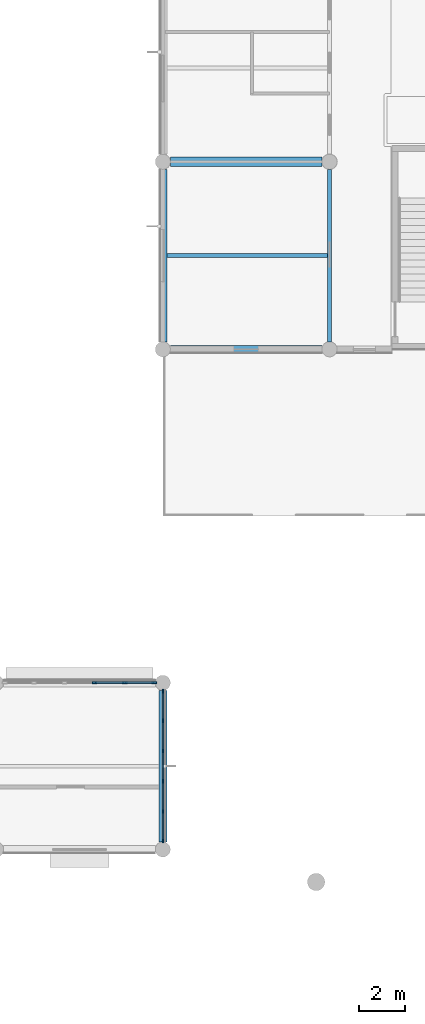
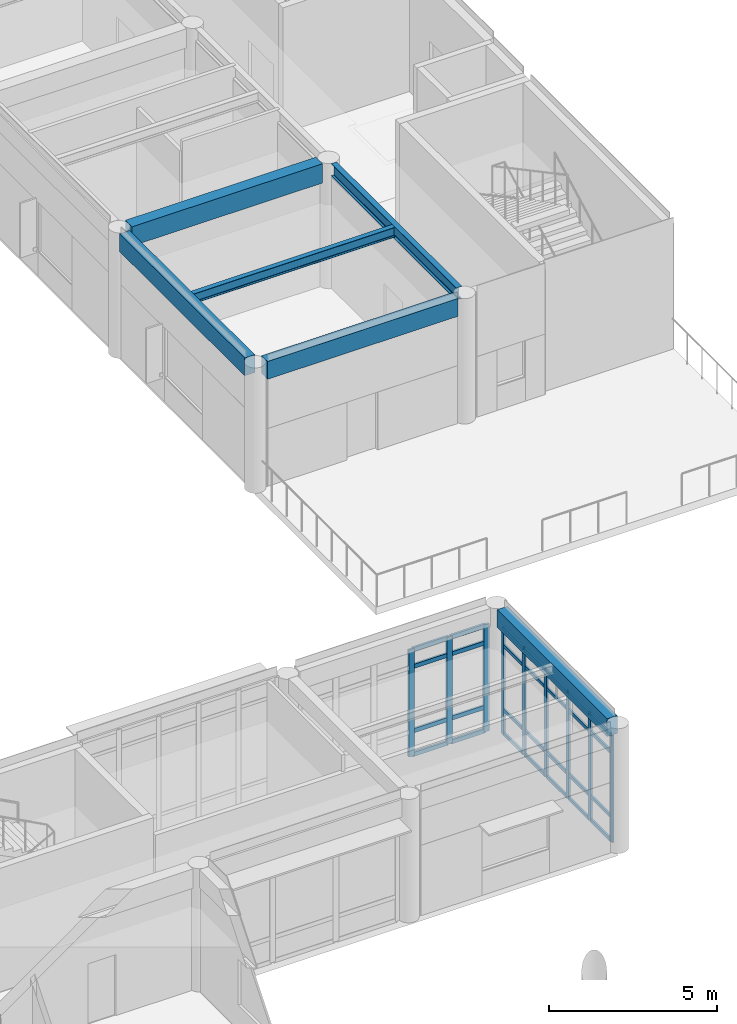
# One storey, part 29 of 92: 37 members, 6 beams, 2 elements without a shape of their own.
"""IFC4 building model written with IfcOpenShell, lengths in metres."""

from ifc_helpers import new_model, si_unit, direction, frame, origin, origin_2d, place, context, subcontext, project, spatial, rectangle, i_section, extrude, material, layer, layer_set, material_profile, profile_set, type_object, element, aggregate, save


model = new_model("IFC4")

# Units and contexts
model_context = context("Model", 3, precision=1e-05, world=origin(), true_north=direction((0.0, 1.0)))
body_context = subcontext(model_context, "Body", "Model", "MODEL_VIEW")
ifc_project = project(units=[si_unit("LENGTHUNIT", "METRE"), si_unit("AREAUNIT", "SQUARE_METRE"), si_unit("VOLUMEUNIT", "CUBIC_METRE"), si_unit("PLANEANGLEUNIT", "RADIAN"), si_unit("MASSUNIT", "GRAM", prefix="KILO")], contexts=[model_context])

# Site, building, storey
site_placement = place(None, origin())
site = spatial("IfcSite", under=ifc_project, at=site_placement, CompositionType="ELEMENT")
building_placement = place(site_placement, origin())
building = spatial("IfcBuilding", under=site, at=building_placement, Name="Namkhue Oval Health Centre", CompositionType="ELEMENT")
storey_placement = place(building_placement, frame((0.0, 0.0, 4.800048828125)))
storey = spatial("IfcBuildingStorey", under=building, at=storey_placement, Name="L01", CompositionType="ELEMENT", Elevation=4.800048828125)

# Curtain wall, members
ifc_material_1 = material(Name="Anodised aluminium EN AW-6063 T6", Category="aluminium")
ifc_layer_1 = layer(ifc_material_1, 0.159912109375)
ifc_layer_set_1 = layer_set([ifc_layer_1], Name="Anodised aluminium EN AW-6063 T6")
curtain_wall_type_1 = type_object("IfcCurtainWallType", Name="UNITISED CURTAIN WALL M1200", PredefinedType="NOTDEFINED", material=ifc_layer_set_1)
curtain_wall_1_placement = place(storey_placement, origin())
curtain_wall_1 = element("IfcCurtainWall", 1, at=curtain_wall_1_placement, inside=storey, type_object=curtain_wall_type_1, Name="Volume V5 L01 Unitised Curtain Wall 193", PredefinedType="NOTDEFINED")
ifc_material_profile_1 = material_profile(ifc_material_1, rectangle(XDim=0.06494140625, YDim=0.159912109375, at=origin_2d()), Name="ALU 65x160")
ifc_profile_set_1 = profile_set([ifc_material_profile_1], Name="Anodised aluminium EN AW-6063 T6")
member_type_1 = type_object("IfcMemberType", Name="CURTAIN WALL MULLION 65X160", PredefinedType="MULLION", material=ifc_profile_set_1)
member_1_placement = place(storey_placement, frame((136.800048828125, 21.967529296875, 0.0), z_axis=(0.0, 0.0, 1.0), x_axis=(-1.0, 0.0, 0.0)))
member_1 = element("IfcMember", 2, at=member_1_placement, type_object=member_type_1, Name="CW-01 mullion 1", PredefinedType="MULLION", context=body_context, shape_type="SweptSolid", body=[
    extrude(rectangle(XDim=0.06494140625, YDim=0.159912109375, at=origin_2d()), origin(), (0.0, 0.0, 1.0), 3.887939453125),
])
member_2_placement = place(storey_placement, frame((136.800048828125, 23.240966796875, 0.0), z_axis=(0.0, 0.0, 1.0), x_axis=(-1.0, 0.0, 0.0)))
member_2 = element("IfcMember", 3, at=member_2_placement, type_object=member_type_1, Name="CW-01 mullion 2", PredefinedType="MULLION", context=body_context, shape_type="SweptSolid", body=[
    extrude(rectangle(XDim=0.06494140625, YDim=0.159912109375, at=origin_2d()), origin(), (0.0, 0.0, 1.0), 3.887939453125),
])
member_3_placement = place(storey_placement, frame((136.800048828125, 24.547119140625, 0.0), z_axis=(0.0, 0.0, 1.0), x_axis=(-1.0, 0.0, 0.0)))
member_3 = element("IfcMember", 4, at=member_3_placement, type_object=member_type_1, Name="CW-01 mullion 3", PredefinedType="MULLION", context=body_context, shape_type="SweptSolid", body=[
    extrude(rectangle(XDim=0.06494140625, YDim=0.159912109375, at=origin_2d()), origin(), (0.0, 0.0, 1.0), 3.887939453125),
])
member_4_placement = place(storey_placement, frame((136.800048828125, 25.85302734375, 0.0), z_axis=(0.0, 0.0, 1.0), x_axis=(-1.0, 0.0, 0.0)))
member_4 = element("IfcMember", 5, at=member_4_placement, type_object=member_type_1, Name="CW-01 mullion 4", PredefinedType="MULLION", context=body_context, shape_type="SweptSolid", body=[
    extrude(rectangle(XDim=0.06494140625, YDim=0.159912109375, at=origin_2d()), origin(), (0.0, 0.0, 1.0), 3.887939453125),
])
member_5_placement = place(storey_placement, frame((136.800048828125, 27.158935546875, 0.0), z_axis=(0.0, 0.0, 1.0), x_axis=(-1.0, 0.0, 0.0)))
member_5 = element("IfcMember", 6, at=member_5_placement, type_object=member_type_1, Name="CW-01 mullion 5", PredefinedType="MULLION", context=body_context, shape_type="SweptSolid", body=[
    extrude(rectangle(XDim=0.06494140625, YDim=0.159912109375, at=origin_2d()), origin(), (0.0, 0.0, 1.0), 3.887939453125),
])
member_6_placement = place(storey_placement, frame((136.800048828125, 28.4326171875, 0.0), z_axis=(0.0, 0.0, 1.0), x_axis=(-1.0, 0.0, 0.0)))
member_6 = element("IfcMember", 7, at=member_6_placement, type_object=member_type_1, Name="CW-01 mullion 6", PredefinedType="MULLION", context=body_context, shape_type="SweptSolid", body=[
    extrude(rectangle(XDim=0.06494140625, YDim=0.159912109375, at=origin_2d()), origin(), (0.0, 0.0, 1.0), 3.887939453125),
])

ifc_layer_2 = layer(ifc_material_1, 0.159912109375)
ifc_layer_set_2 = layer_set([ifc_layer_2], Name="Anodised aluminium EN AW-6063 T6")
curtain_wall_type_2 = type_object("IfcCurtainWallType", Name="UNITISED CURTAIN WALL M1350", PredefinedType="NOTDEFINED", material=ifc_layer_set_2)
curtain_wall_2_placement = place(storey_placement, origin())
curtain_wall_2 = element("IfcCurtainWall", 8, at=curtain_wall_2_placement, inside=storey, type_object=curtain_wall_type_2, Name="Volume V5 L01 Unitised Curtain Wall 194", PredefinedType="NOTDEFINED")
ifc_material_profile_2 = material_profile(ifc_material_1, rectangle(XDim=0.074951171875, YDim=0.199951171875, at=origin_2d()), Name="ALU 75x200")
ifc_profile_set_2 = profile_set([ifc_material_profile_2], Name="Anodised aluminium EN AW-6063 T6")
member_type_2 = type_object("IfcMemberType", Name="CURTAIN WALL MULLION 75X200", PredefinedType="MULLION", material=ifc_profile_set_2)
member_7_placement = place(storey_placement, frame((136.427490234375, 28.800048828125, 0.0), z_axis=(0.0, 0.0, 1.0), x_axis=(0.0, -1.0, 0.0)))
member_7 = element("IfcMember", 9, at=member_7_placement, type_object=member_type_2, Name="CW-02 mullion 1", PredefinedType="MULLION", context=body_context, shape_type="SweptSolid", body=[
    extrude(rectangle(XDim=0.074951171875, YDim=0.199951171875, at=origin_2d()), origin(), (0.0, 0.0, 1.0), 3.887939453125),
])
member_8_placement = place(storey_placement, frame((135.158935546875, 28.800048828125, 0.0), z_axis=(0.0, 0.0, 1.0), x_axis=(0.0, -1.0, 0.0)))
member_8 = element("IfcMember", 10, at=member_8_placement, type_object=member_type_2, Name="CW-02 mullion 2", PredefinedType="MULLION", context=body_context, shape_type="SweptSolid", body=[
    extrude(rectangle(XDim=0.074951171875, YDim=0.199951171875, at=origin_2d()), origin(), (0.0, 0.0, 1.0), 3.887939453125),
])
member_9_placement = place(storey_placement, frame((133.85302734375, 28.800048828125, 0.0), z_axis=(0.0, 0.0, 1.0), x_axis=(0.0, -1.0, 0.0)))
member_9 = element("IfcMember", 11, at=member_9_placement, type_object=member_type_2, Name="CW-02 mullion 3", PredefinedType="MULLION", context=body_context, shape_type="SweptSolid", body=[
    extrude(rectangle(XDim=0.074951171875, YDim=0.199951171875, at=origin_2d()), origin(), (0.0, 0.0, 1.0), 3.887939453125),
])

# Member
ifc_material_profile_3 = material_profile(ifc_material_1, rectangle(XDim=0.06494140625, YDim=0.1201171875, at=origin_2d()), Name="ALU 65x120")
ifc_profile_set_3 = profile_set([ifc_material_profile_3], Name="Anodised aluminium EN AW-6063 T6")
member_type_3 = type_object("IfcMemberType", Name="CURTAIN WALL TRANSOM 65X120", PredefinedType="USERDEFINED", material=ifc_profile_set_3)
member_10_placement = place(storey_placement, frame((136.800048828125, 22.0, 0.032470703125), z_axis=(0.0, 1.0, 0.0), x_axis=(-1.0, 0.0, 0.0)))
member_10 = element("IfcMember", 12, at=member_10_placement, type_object=member_type_3, Name="CW-01 transom 1.1", ObjectType="TRANSOM", PredefinedType="USERDEFINED", context=body_context, shape_type="SweptSolid", body=[
    extrude(rectangle(XDim=0.06494140625, YDim=0.1201171875, at=origin_2d()), origin(), (0.0, 0.0, 1.0), 1.20849609375),
])

member_11_placement = place(storey_placement, frame((136.800048828125, 22.0, 0.89990234375), z_axis=(0.0, 1.0, 0.0), x_axis=(-1.0, 0.0, 0.0)))
member_11 = element("IfcMember", 13, at=member_11_placement, type_object=member_type_3, Name="CW-01 transom 1.2", ObjectType="TRANSOM", PredefinedType="USERDEFINED", context=body_context, shape_type="SweptSolid", body=[
    extrude(rectangle(XDim=0.06494140625, YDim=0.1201171875, at=origin_2d()), origin(), (0.0, 0.0, 1.0), 1.20849609375),
])

member_12_placement = place(storey_placement, frame((136.800048828125, 22.0, 3.238037109375), z_axis=(0.0, 1.0, 0.0), x_axis=(-1.0, 0.0, 0.0)))
member_12 = element("IfcMember", 14, at=member_12_placement, type_object=member_type_3, Name="CW-01 transom 1.3", ObjectType="TRANSOM", PredefinedType="USERDEFINED", context=body_context, shape_type="SweptSolid", body=[
    extrude(rectangle(XDim=0.06494140625, YDim=0.1201171875, at=origin_2d()), origin(), (0.0, 0.0, 1.0), 1.20849609375),
])

member_13_placement = place(storey_placement, frame((136.800048828125, 22.0, 3.85546875), z_axis=(0.0, 1.0, 0.0), x_axis=(-1.0, 0.0, 0.0)))
member_13 = element("IfcMember", 15, at=member_13_placement, type_object=member_type_3, Name="CW-01 transom 1.4", ObjectType="TRANSOM", PredefinedType="USERDEFINED", context=body_context, shape_type="SweptSolid", body=[
    extrude(rectangle(XDim=0.06494140625, YDim=0.1201171875, at=origin_2d()), origin(), (0.0, 0.0, 1.0), 1.20849609375),
])

member_14_placement = place(storey_placement, frame((136.800048828125, 23.2734375, 0.032470703125), z_axis=(0.0, 1.0, 0.0), x_axis=(-1.0, 0.0, 0.0)))
member_14 = element("IfcMember", 16, at=member_14_placement, type_object=member_type_3, Name="CW-01 transom 2.1", ObjectType="TRANSOM", PredefinedType="USERDEFINED", context=body_context, shape_type="SweptSolid", body=[
    extrude(rectangle(XDim=0.06494140625, YDim=0.1201171875, at=origin_2d()), origin(), (0.0, 0.0, 1.0), 1.240966796875),
])

member_15_placement = place(storey_placement, frame((136.800048828125, 23.2734375, 0.89990234375), z_axis=(0.0, 1.0, 0.0), x_axis=(-1.0, 0.0, 0.0)))
member_15 = element("IfcMember", 17, at=member_15_placement, type_object=member_type_3, Name="CW-01 transom 2.2", ObjectType="TRANSOM", PredefinedType="USERDEFINED", context=body_context, shape_type="SweptSolid", body=[
    extrude(rectangle(XDim=0.06494140625, YDim=0.1201171875, at=origin_2d()), origin(), (0.0, 0.0, 1.0), 1.240966796875),
])

member_16_placement = place(storey_placement, frame((136.800048828125, 23.2734375, 3.238037109375), z_axis=(0.0, 1.0, 0.0), x_axis=(-1.0, 0.0, 0.0)))
member_16 = element("IfcMember", 18, at=member_16_placement, type_object=member_type_3, Name="CW-01 transom 2.3", ObjectType="TRANSOM", PredefinedType="USERDEFINED", context=body_context, shape_type="SweptSolid", body=[
    extrude(rectangle(XDim=0.06494140625, YDim=0.1201171875, at=origin_2d()), origin(), (0.0, 0.0, 1.0), 1.240966796875),
])

member_17_placement = place(storey_placement, frame((136.800048828125, 23.2734375, 3.85546875), z_axis=(0.0, 1.0, 0.0), x_axis=(-1.0, 0.0, 0.0)))
member_17 = element("IfcMember", 19, at=member_17_placement, type_object=member_type_3, Name="CW-01 transom 2.4", ObjectType="TRANSOM", PredefinedType="USERDEFINED", context=body_context, shape_type="SweptSolid", body=[
    extrude(rectangle(XDim=0.06494140625, YDim=0.1201171875, at=origin_2d()), origin(), (0.0, 0.0, 1.0), 1.240966796875),
])

member_18_placement = place(storey_placement, frame((136.800048828125, 24.57958984375, 0.032470703125), z_axis=(0.0, 1.0, 0.0), x_axis=(-1.0, 0.0, 0.0)))
member_18 = element("IfcMember", 20, at=member_18_placement, type_object=member_type_3, Name="CW-01 transom 3.1", ObjectType="TRANSOM", PredefinedType="USERDEFINED", context=body_context, shape_type="SweptSolid", body=[
    extrude(rectangle(XDim=0.06494140625, YDim=0.1201171875, at=origin_2d()), origin(), (0.0, 0.0, 1.0), 1.240966796875),
])

member_19_placement = place(storey_placement, frame((136.800048828125, 24.57958984375, 0.89990234375), z_axis=(0.0, 1.0, 0.0), x_axis=(-1.0, 0.0, 0.0)))
member_19 = element("IfcMember", 21, at=member_19_placement, type_object=member_type_3, Name="CW-01 transom 3.2", ObjectType="TRANSOM", PredefinedType="USERDEFINED", context=body_context, shape_type="SweptSolid", body=[
    extrude(rectangle(XDim=0.06494140625, YDim=0.1201171875, at=origin_2d()), origin(), (0.0, 0.0, 1.0), 1.240966796875),
])

member_20_placement = place(storey_placement, frame((136.800048828125, 24.57958984375, 3.238037109375), z_axis=(0.0, 1.0, 0.0), x_axis=(-1.0, 0.0, 0.0)))
member_20 = element("IfcMember", 22, at=member_20_placement, type_object=member_type_3, Name="CW-01 transom 3.3", ObjectType="TRANSOM", PredefinedType="USERDEFINED", context=body_context, shape_type="SweptSolid", body=[
    extrude(rectangle(XDim=0.06494140625, YDim=0.1201171875, at=origin_2d()), origin(), (0.0, 0.0, 1.0), 1.240966796875),
])

member_21_placement = place(storey_placement, frame((136.800048828125, 24.57958984375, 3.85546875), z_axis=(0.0, 1.0, 0.0), x_axis=(-1.0, 0.0, 0.0)))
member_21 = element("IfcMember", 23, at=member_21_placement, type_object=member_type_3, Name="CW-01 transom 3.4", ObjectType="TRANSOM", PredefinedType="USERDEFINED", context=body_context, shape_type="SweptSolid", body=[
    extrude(rectangle(XDim=0.06494140625, YDim=0.1201171875, at=origin_2d()), origin(), (0.0, 0.0, 1.0), 1.240966796875),
])

member_22_placement = place(storey_placement, frame((136.800048828125, 25.885498046875, 0.032470703125), z_axis=(0.0, 1.0, 0.0), x_axis=(-1.0, 0.0, 0.0)))
member_22 = element("IfcMember", 24, at=member_22_placement, type_object=member_type_3, Name="CW-01 transom 4.1", ObjectType="TRANSOM", PredefinedType="USERDEFINED", context=body_context, shape_type="SweptSolid", body=[
    extrude(rectangle(XDim=0.06494140625, YDim=0.1201171875, at=origin_2d()), origin(), (0.0, 0.0, 1.0), 1.240966796875),
])

member_23_placement = place(storey_placement, frame((136.800048828125, 25.885498046875, 0.89990234375), z_axis=(0.0, 1.0, 0.0), x_axis=(-1.0, 0.0, 0.0)))
member_23 = element("IfcMember", 25, at=member_23_placement, type_object=member_type_3, Name="CW-01 transom 4.2", ObjectType="TRANSOM", PredefinedType="USERDEFINED", context=body_context, shape_type="SweptSolid", body=[
    extrude(rectangle(XDim=0.06494140625, YDim=0.1201171875, at=origin_2d()), origin(), (0.0, 0.0, 1.0), 1.240966796875),
])

member_24_placement = place(storey_placement, frame((136.800048828125, 25.885498046875, 3.238037109375), z_axis=(0.0, 1.0, 0.0), x_axis=(-1.0, 0.0, 0.0)))
member_24 = element("IfcMember", 26, at=member_24_placement, type_object=member_type_3, Name="CW-01 transom 4.3", ObjectType="TRANSOM", PredefinedType="USERDEFINED", context=body_context, shape_type="SweptSolid", body=[
    extrude(rectangle(XDim=0.06494140625, YDim=0.1201171875, at=origin_2d()), origin(), (0.0, 0.0, 1.0), 1.240966796875),
])

member_25_placement = place(storey_placement, frame((136.800048828125, 25.885498046875, 3.85546875), z_axis=(0.0, 1.0, 0.0), x_axis=(-1.0, 0.0, 0.0)))
member_25 = element("IfcMember", 27, at=member_25_placement, type_object=member_type_3, Name="CW-01 transom 4.4", ObjectType="TRANSOM", PredefinedType="USERDEFINED", context=body_context, shape_type="SweptSolid", body=[
    extrude(rectangle(XDim=0.06494140625, YDim=0.1201171875, at=origin_2d()), origin(), (0.0, 0.0, 1.0), 1.240966796875),
])

member_26_placement = place(storey_placement, frame((136.800048828125, 27.19140625, 0.032470703125), z_axis=(0.0, 1.0, 0.0), x_axis=(-1.0, 0.0, 0.0)))
member_26 = element("IfcMember", 28, at=member_26_placement, type_object=member_type_3, Name="CW-01 transom 5.1", ObjectType="TRANSOM", PredefinedType="USERDEFINED", context=body_context, shape_type="SweptSolid", body=[
    extrude(rectangle(XDim=0.06494140625, YDim=0.1201171875, at=origin_2d()), origin(), (0.0, 0.0, 1.0), 1.20849609375),
])

member_27_placement = place(storey_placement, frame((136.800048828125, 27.19140625, 0.89990234375), z_axis=(0.0, 1.0, 0.0), x_axis=(-1.0, 0.0, 0.0)))
member_27 = element("IfcMember", 29, at=member_27_placement, type_object=member_type_3, Name="CW-01 transom 5.2", ObjectType="TRANSOM", PredefinedType="USERDEFINED", context=body_context, shape_type="SweptSolid", body=[
    extrude(rectangle(XDim=0.06494140625, YDim=0.1201171875, at=origin_2d()), origin(), (0.0, 0.0, 1.0), 1.20849609375),
])

member_28_placement = place(storey_placement, frame((136.800048828125, 27.19140625, 3.238037109375), z_axis=(0.0, 1.0, 0.0), x_axis=(-1.0, 0.0, 0.0)))
member_28 = element("IfcMember", 30, at=member_28_placement, type_object=member_type_3, Name="CW-01 transom 5.3", ObjectType="TRANSOM", PredefinedType="USERDEFINED", context=body_context, shape_type="SweptSolid", body=[
    extrude(rectangle(XDim=0.06494140625, YDim=0.1201171875, at=origin_2d()), origin(), (0.0, 0.0, 1.0), 1.20849609375),
])

member_29_placement = place(storey_placement, frame((136.800048828125, 27.19140625, 3.85546875), z_axis=(0.0, 1.0, 0.0), x_axis=(-1.0, 0.0, 0.0)))
member_29 = element("IfcMember", 31, at=member_29_placement, type_object=member_type_3, Name="CW-01 transom 5.4", ObjectType="TRANSOM", PredefinedType="USERDEFINED", context=body_context, shape_type="SweptSolid", body=[
    extrude(rectangle(XDim=0.06494140625, YDim=0.1201171875, at=origin_2d()), origin(), (0.0, 0.0, 1.0), 1.20849609375),
])

aggregate(curtain_wall_1, [member_1, member_2, member_3, member_4, member_5, member_6, member_10, member_11, member_12, member_13, member_14, member_15, member_16, member_17, member_18, member_19, member_20, member_21, member_22, member_23, member_24, member_25, member_26, member_27, member_28, member_29])

ifc_material_profile_4 = material_profile(ifc_material_1, rectangle(XDim=0.074951171875, YDim=0.14990234375, at=origin_2d()), Name="ALU 75x150")
ifc_profile_set_4 = profile_set([ifc_material_profile_4], Name="Anodised aluminium EN AW-6063 T6")
member_type_4 = type_object("IfcMemberType", Name="CURTAIN WALL TRANSOM 75X150", PredefinedType="USERDEFINED", material=ifc_profile_set_4)
member_30_placement = place(storey_placement, frame((136.389892578125, 28.800048828125, 0.037353515625), z_axis=(-1.0, 0.0, 0.0), x_axis=(0.0, -1.0, 0.0)))
member_30 = element("IfcMember", 32, at=member_30_placement, type_object=member_type_4, Name="CW-02 transom 1.1", ObjectType="TRANSOM", PredefinedType="USERDEFINED", context=body_context, shape_type="SweptSolid", body=[
    extrude(rectangle(XDim=0.074951171875, YDim=0.14990234375, at=origin_2d()), origin(), (0.0, 0.0, 1.0), 1.193359375),
])

member_31_placement = place(storey_placement, frame((136.389892578125, 28.800048828125, 0.89990234375), z_axis=(-1.0, 0.0, 0.0), x_axis=(0.0, -1.0, 0.0)))
member_31 = element("IfcMember", 33, at=member_31_placement, type_object=member_type_4, Name="CW-02 transom 1.2", ObjectType="TRANSOM", PredefinedType="USERDEFINED", context=body_context, shape_type="SweptSolid", body=[
    extrude(rectangle(XDim=0.074951171875, YDim=0.14990234375, at=origin_2d()), origin(), (0.0, 0.0, 1.0), 1.193359375),
])

member_32_placement = place(storey_placement, frame((136.389892578125, 28.800048828125, 3.238037109375), z_axis=(-1.0, 0.0, 0.0), x_axis=(0.0, -1.0, 0.0)))
member_32 = element("IfcMember", 34, at=member_32_placement, type_object=member_type_4, Name="CW-02 transom 1.3", ObjectType="TRANSOM", PredefinedType="USERDEFINED", context=body_context, shape_type="SweptSolid", body=[
    extrude(rectangle(XDim=0.074951171875, YDim=0.14990234375, at=origin_2d()), origin(), (0.0, 0.0, 1.0), 1.193359375),
])

member_33_placement = place(storey_placement, frame((136.389892578125, 28.800048828125, 3.850341796875), z_axis=(-1.0, 0.0, 0.0), x_axis=(0.0, -1.0, 0.0)))
member_33 = element("IfcMember", 35, at=member_33_placement, type_object=member_type_4, Name="CW-02 transom 1.4", ObjectType="TRANSOM", PredefinedType="USERDEFINED", context=body_context, shape_type="SweptSolid", body=[
    extrude(rectangle(XDim=0.074951171875, YDim=0.14990234375, at=origin_2d()), origin(), (0.0, 0.0, 1.0), 1.193359375),
])

member_34_placement = place(storey_placement, frame((135.12158203125, 28.800048828125, 0.037353515625), z_axis=(-1.0, 0.0, 0.0), x_axis=(0.0, -1.0, 0.0)))
member_34 = element("IfcMember", 36, at=member_34_placement, type_object=member_type_4, Name="CW-02 transom 2.1", ObjectType="TRANSOM", PredefinedType="USERDEFINED", context=body_context, shape_type="SweptSolid", body=[
    extrude(rectangle(XDim=0.074951171875, YDim=0.14990234375, at=origin_2d()), origin(), (0.0, 0.0, 1.0), 1.231201171875),
])

member_35_placement = place(storey_placement, frame((135.12158203125, 28.800048828125, 0.89990234375), z_axis=(-1.0, 0.0, 0.0), x_axis=(0.0, -1.0, 0.0)))
member_35 = element("IfcMember", 37, at=member_35_placement, type_object=member_type_4, Name="CW-02 transom 2.2", ObjectType="TRANSOM", PredefinedType="USERDEFINED", context=body_context, shape_type="SweptSolid", body=[
    extrude(rectangle(XDim=0.074951171875, YDim=0.14990234375, at=origin_2d()), origin(), (0.0, 0.0, 1.0), 1.231201171875),
])

member_36_placement = place(storey_placement, frame((135.12158203125, 28.800048828125, 3.238037109375), z_axis=(-1.0, 0.0, 0.0), x_axis=(0.0, -1.0, 0.0)))
member_36 = element("IfcMember", 38, at=member_36_placement, type_object=member_type_4, Name="CW-02 transom 2.3", ObjectType="TRANSOM", PredefinedType="USERDEFINED", context=body_context, shape_type="SweptSolid", body=[
    extrude(rectangle(XDim=0.074951171875, YDim=0.14990234375, at=origin_2d()), origin(), (0.0, 0.0, 1.0), 1.231201171875),
])

member_37_placement = place(storey_placement, frame((135.12158203125, 28.800048828125, 3.850341796875), z_axis=(-1.0, 0.0, 0.0), x_axis=(0.0, -1.0, 0.0)))
member_37 = element("IfcMember", 39, at=member_37_placement, type_object=member_type_4, Name="CW-02 transom 2.4", ObjectType="TRANSOM", PredefinedType="USERDEFINED", context=body_context, shape_type="SweptSolid", body=[
    extrude(rectangle(XDim=0.074951171875, YDim=0.14990234375, at=origin_2d()), origin(), (0.0, 0.0, 1.0), 1.231201171875),
])

aggregate(curtain_wall_2, [member_7, member_8, member_9, member_30, member_31, member_32, member_33, member_34, member_35, member_36, member_37])

# Beams
ifc_material_2 = material(Name="Structural steel EN 10025-2 S355JR (TCVN 5575:2024)", Category="steel")
ifc_material_profile_5 = material_profile(ifc_material_2, i_section(OverallWidth=0.18994140625, OverallDepth=0.449951171875, WebThickness=0.009521484375, FlangeThickness=0.0146484375, FilletRadius=0.02099609375, at=origin_2d()), Name="IPE 450")
ifc_profile_set_5 = profile_set([ifc_material_profile_5], Name="Structural steel EN 10025-2 S355JR (TCVN 5575:2024)")
beam_type_1 = type_object("IfcBeamType", Name="FLOOR BEAM STEEL IPE 450", PredefinedType="BEAM", material=ifc_profile_set_5)
beam_1_placement = place(storey_placement, frame((144.0, 43.52490234375, 4.3349609375), z_axis=(0.0, 1.0, 0.0), x_axis=(-1.0, 0.0, 0.0)))
element("IfcBeam", 40, at=beam_1_placement, inside=storey, type_object=beam_type_1, Name="Volume V6 L02 Beam 21/G-H", PredefinedType="BEAM", context=body_context, shape_type="SweptSolid", body=[
    extrude(i_section(OverallWidth=0.18994140625, OverallDepth=0.449951171875, WebThickness=0.009521484375, FlangeThickness=0.0146484375, FilletRadius=0.02099609375, at=origin_2d()), origin(), (0.0, 0.0, 1.0), 7.4501953125),
])
ifc_material_3 = material(Name="Reinforced concrete C35/45 (TCVN B40)", Category="concrete")
ifc_material_profile_6 = material_profile(ifc_material_3, rectangle(XDim=0.35009765625, YDim=0.64990234375, at=origin_2d()), Name="RC 350x650")
ifc_profile_set_6 = profile_set([ifc_material_profile_6], Name="Reinforced concrete C35/45 (TCVN B40)")
beam_type_2 = type_object("IfcBeamType", Name="PERIMETER SPANDREL BEAM 350X650", PredefinedType="SPANDREL", material=ifc_profile_set_6)
for number, where, z_axis, x_axis, name in (
    (41, (136.800048828125, 21.925048828125, 4.212890625), (0.0, 1.0, 0.0), (-1.0, 0.0, 0.0), "Volume V5 L02 Beam 20/D-E"),
    (42, (137.125, 43.199951171875, 4.23486328125), (1.0, 0.0, 0.0), (0.0, 1.0, 0.0), "Volume V6 L02 Girder G/20-21"),
):
    element("IfcBeam", number, at=place(storey_placement, frame(where, z_axis=z_axis, x_axis=x_axis)), inside=storey, type_object=beam_type_2, Name=name, PredefinedType="SPANDREL", context=body_context, shape_type="SweptSolid", body=[
        extrude(rectangle(XDim=0.35009765625, YDim=0.64990234375, at=origin_2d()), origin(), (0.0, 0.0, 1.0), 6.550048828125),
    ])
beam_2_placement = place(storey_placement, frame((136.800048828125, 43.52490234375, 4.23486328125), z_axis=(0.0, 1.0, 0.0), x_axis=(-1.0, 0.0, 0.0)))
element("IfcBeam", 43, at=beam_2_placement, inside=storey, type_object=beam_type_2, Name="Volume V6 L02 Beam 20/G-H", PredefinedType="SPANDREL", context=body_context, shape_type="SweptSolid", body=[
    extrude(rectangle(XDim=0.35009765625, YDim=0.64990234375, at=origin_2d()), origin(), (0.0, 0.0, 1.0), 7.4501953125),
])
ifc_material_profile_7 = material_profile(ifc_material_3, rectangle(XDim=0.39990234375, YDim=0.699951171875, at=origin_2d()), Name="RC 400x700")
ifc_profile_set_7 = profile_set([ifc_material_profile_7], Name="Reinforced concrete C35/45 (TCVN B40)")
beam_type_3 = type_object("IfcBeamType", Name="PRIMARY GIRDER RC 400X700", PredefinedType="USERDEFINED", material=ifc_profile_set_7)
beam_3_placement = place(storey_placement, frame((137.125, 51.300048828125, 4.2099609375), z_axis=(1.0, 0.0, 0.0), x_axis=(0.0, 1.0, 0.0)))
element("IfcBeam", 44, at=beam_3_placement, inside=storey, type_object=beam_type_3, Name="Volume V6 L02 Girder H/20-21", ObjectType="GIRDER", PredefinedType="USERDEFINED", context=body_context, shape_type="SweptSolid", body=[
    extrude(rectangle(XDim=0.39990234375, YDim=0.699951171875, at=origin_2d()), origin(), (0.0, 0.0, 1.0), 6.550048828125),
])
ifc_material_profile_8 = material_profile(ifc_material_2, i_section(OverallWidth=0.169921875, OverallDepth=0.360107421875, WebThickness=0.008056640625, FlangeThickness=0.0126953125, FilletRadius=0.01806640625, at=origin_2d()), Name="IPE 360")
ifc_profile_set_8 = profile_set([ifc_material_profile_8], Name="Structural steel EN 10025-2 S355JR (TCVN 5575:2024)")
beam_type_4 = type_object("IfcBeamType", Name="SECONDARY JOIST STEEL IPE 360", PredefinedType="JOIST", material=ifc_profile_set_8)
beam_4_placement = place(storey_placement, frame((136.97509765625, 47.25, 4.3798828125), z_axis=(1.0, 0.0, 0.0), x_axis=(0.0, 1.0, 0.0)))
element("IfcBeam", 45, at=beam_4_placement, inside=storey, type_object=beam_type_4, Name="Volume V6 L02 Secondary Joist 20-21", PredefinedType="JOIST", context=body_context, shape_type="SweptSolid", body=[
    extrude(i_section(OverallWidth=0.169921875, OverallDepth=0.360107421875, WebThickness=0.008056640625, FlangeThickness=0.0126953125, FilletRadius=0.01806640625, at=origin_2d()), origin(), (0.0, 0.0, 1.0), 6.929931640625),
])

save(model, "model.ifc")
